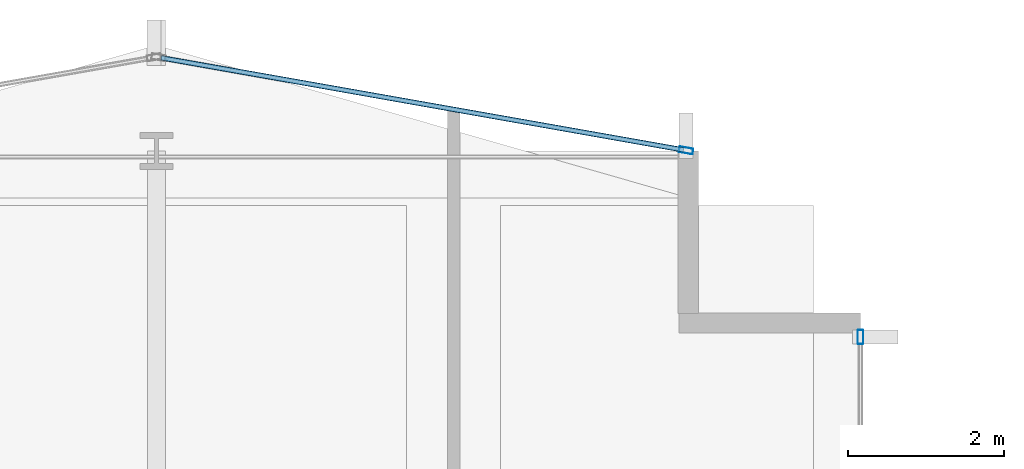
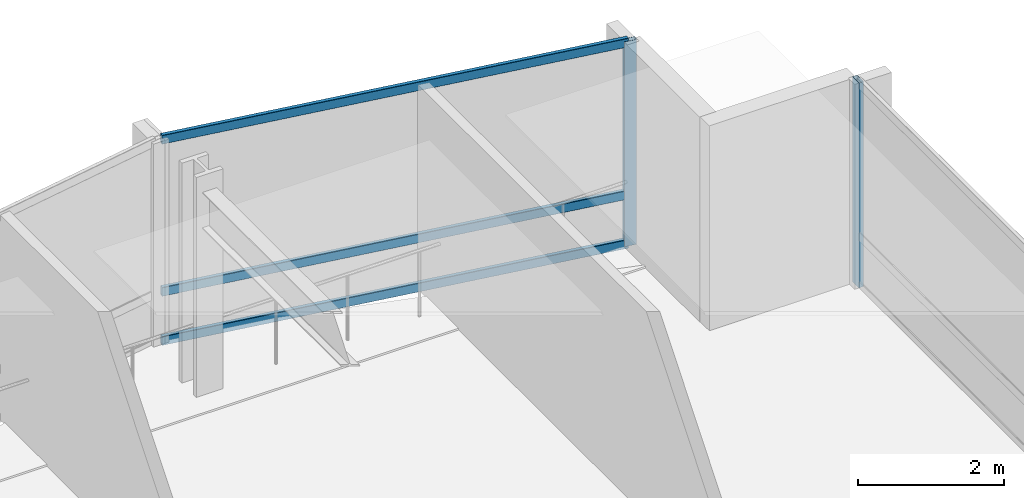
# One storey, part 24 of 34: 5 members, 2 elements without a shape of their own.
"""IFC4 building model written with IfcOpenShell, lengths in metres."""

from ifc_helpers import new_model, si_unit, direction, frame, origin, origin_2d, place, context, subcontext, project, spatial, hollow_rectangle, extrude, material, layer, layer_set, material_profile, profile_set, type_object, element, aggregate, save


model = new_model("IFC4")

# Units and contexts
model_context = context("Model", 3, precision=1e-05, world=origin(), true_north=direction((0.0, 1.0)))
body_context = subcontext(model_context, "Body", "Model", "MODEL_VIEW")
ifc_project = project(units=[si_unit("LENGTHUNIT", "METRE"), si_unit("AREAUNIT", "SQUARE_METRE"), si_unit("VOLUMEUNIT", "CUBIC_METRE"), si_unit("PLANEANGLEUNIT", "RADIAN"), si_unit("MASSUNIT", "GRAM", prefix="KILO")], contexts=[model_context])

# Site, building, storey
site_placement = place(None, origin())
site = spatial("IfcSite", under=ifc_project, at=site_placement, CompositionType="ELEMENT")
building_placement = place(site_placement, origin())
building = spatial("IfcBuilding", under=site, at=building_placement, Name="Solvaryn Broadcast Tower", CompositionType="ELEMENT")
storey_placement = place(building_placement, frame((0.0, 0.0, 92.800048828125)))
storey = spatial("IfcBuildingStorey", under=building, at=storey_placement, Name="L22", CompositionType="ELEMENT", Elevation=92.800048828125)

# Curtain wall, member
ifc_material_1 = material(Name="Aluminium and Terracotta Unitised Curtain Wall", Category="masonry")
ifc_layer = layer(ifc_material_1, 0.199951171875)
ifc_layer_set = layer_set([ifc_layer], Name="CW-SYS2-LOWMID")
curtain_wall_type = type_object("IfcCurtainWallType", Name="CW-SYS2-LOWMID", PredefinedType="NOTDEFINED", material=ifc_layer_set)
curtain_wall_1_placement = place(storey_placement, origin())
curtain_wall_1 = element("IfcCurtainWall", 1, at=curtain_wall_1_placement, inside=storey, type_object=curtain_wall_type, Name="L22 Curtain Wall IV", PredefinedType="NOTDEFINED")
ifc_material_2 = material(Name="Anodised Aluminium 6063-T6", Category="aluminium")
ifc_material_profile_1 = material_profile(ifc_material_2, hollow_rectangle(XDim=0.074951171875, YDim=0.179931640625, WallThickness=0.00390625, InnerFilletRadius=0.00390625, OuterFilletRadius=0.008056640625, at=origin_2d()))
ifc_profile_set_1 = profile_set([ifc_material_profile_1], Name="Anodised Aluminium 6063-T6")
member_type_1 = type_object("IfcMemberType", Name="CW-MUL-180", PredefinedType="MULLION", material=ifc_profile_set_1)
member_1_placement = place(storey_placement, frame((27.0, 51.6201171875, 0.0), z_axis=(0.0, 0.0, 1.0), x_axis=(1.0, 0.0, 0.0)))
member_1 = element("IfcMember", 2, at=member_1_placement, type_object=member_type_1, Name="CWS2 mullion 1", PredefinedType="MULLION", context=body_context, shape_type="SweptSolid", body=[
    extrude(hollow_rectangle(XDim=0.074951171875, YDim=0.179931640625, WallThickness=0.00390625, InnerFilletRadius=0.00390625, OuterFilletRadius=0.008056640625, at=origin_2d()), origin(), (0.0, 0.0, 1.0), 3.419921875),
])
aggregate(curtain_wall_1, [member_1])

# Curtain wall, members
curtain_wall_2_placement = place(storey_placement, origin())
curtain_wall_2 = element("IfcCurtainWall", 3, at=curtain_wall_2_placement, inside=storey, type_object=curtain_wall_type, Name="L22 Curtain Wall NT1", PredefinedType="NOTDEFINED")
member_2_placement = place(storey_placement, frame((24.7705078125, 54.005126953125, 0.0), z_axis=(0.0, 0.0, 1.0), x_axis=(-0.173785333901, -0.984783558819, 0.0)))
member_2 = element("IfcMember", 4, at=member_2_placement, type_object=member_type_1, Name="CWS2 mullion 1", PredefinedType="MULLION", context=body_context, shape_type="SweptSolid", body=[
    extrude(hollow_rectangle(XDim=0.074951171875, YDim=0.179931640625, WallThickness=0.00390625, InnerFilletRadius=0.00390625, OuterFilletRadius=0.008056640625, at=origin_2d()), origin(), (0.0, 0.0, 1.0), 3.419921875),
])
ifc_material_3 = material(Name="Anodised Aluminium 6063-T6", Category="aluminium")
ifc_material_profile_2 = material_profile(ifc_material_3, hollow_rectangle(XDim=0.06494140625, YDim=0.14990234375, WallThickness=0.00390625, InnerFilletRadius=0.00390625, OuterFilletRadius=0.008056640625, at=origin_2d()))
ifc_profile_set_2 = profile_set([ifc_material_profile_2], Name="Anodised Aluminium 6063-T6")
member_type_2 = type_object("IfcMemberType", Name="CW-TRN-150", PredefinedType="USERDEFINED", material=ifc_profile_set_2)
member_3_placement = place(storey_placement, frame((24.740966796875, 54.010498046875, 0.030029296875), z_axis=(-0.984788629673, 0.173756596613, 0.0), x_axis=(-0.173756596613, -0.984788629673, 0.0)))
member_3 = element("IfcMember", 5, at=member_3_placement, type_object=member_type_2, Name="CWS2 transom 1.1", ObjectType="TRANSOM", PredefinedType="USERDEFINED", context=body_context, shape_type="SweptSolid", body=[
    extrude(hollow_rectangle(XDim=0.06494140625, YDim=0.14990234375, WallThickness=0.00390625, InnerFilletRadius=0.00390625, OuterFilletRadius=0.008056640625, at=origin_2d()), origin(), (0.0, 0.0, 1.0), 6.78515625),
])
member_4_placement = place(storey_placement, frame((24.740966796875, 54.010498046875, 0.849853515625), z_axis=(-0.984788629673, 0.173756596613, 0.0), x_axis=(-0.173756596613, -0.984788629673, 0.0)))
member_4 = element("IfcMember", 6, at=member_4_placement, type_object=member_type_2, Name="CWS2 transom 1.2", ObjectType="TRANSOM", PredefinedType="USERDEFINED", context=body_context, shape_type="SweptSolid", body=[
    extrude(hollow_rectangle(XDim=0.06494140625, YDim=0.14990234375, WallThickness=0.00390625, InnerFilletRadius=0.00390625, OuterFilletRadius=0.008056640625, at=origin_2d()), origin(), (0.0, 0.0, 1.0), 6.78515625),
])
member_5_placement = place(storey_placement, frame((24.740966796875, 54.010498046875, 3.389892578125), z_axis=(-0.984788629673, 0.173756596613, 0.0), x_axis=(-0.173756596613, -0.984788629673, 0.0)))
member_5 = element("IfcMember", 7, at=member_5_placement, type_object=member_type_2, Name="CWS2 transom 1.3", ObjectType="TRANSOM", PredefinedType="USERDEFINED", context=body_context, shape_type="SweptSolid", body=[
    extrude(hollow_rectangle(XDim=0.06494140625, YDim=0.14990234375, WallThickness=0.00390625, InnerFilletRadius=0.00390625, OuterFilletRadius=0.008056640625, at=origin_2d()), origin(), (0.0, 0.0, 1.0), 6.78515625),
])
aggregate(curtain_wall_2, [member_2, member_3, member_4, member_5])

save(model, "model.ifc")
